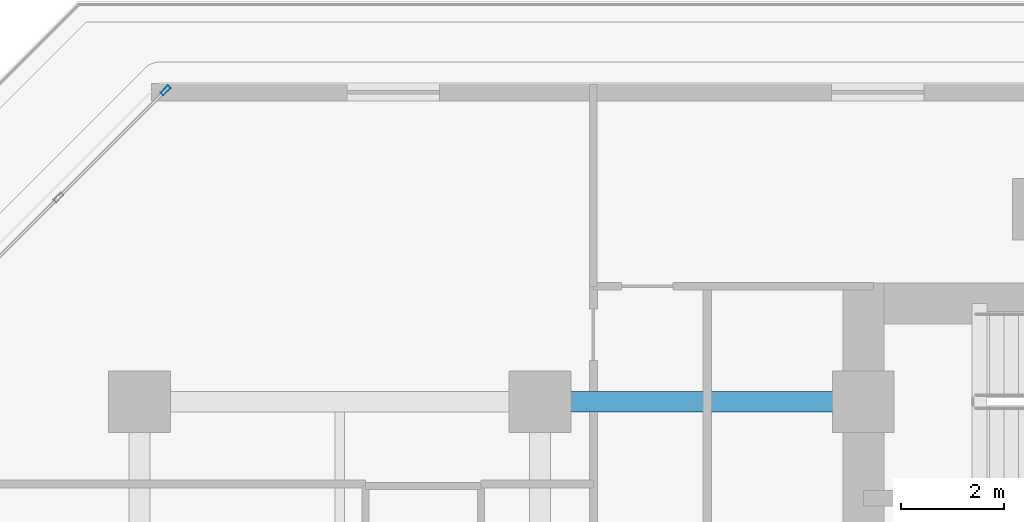
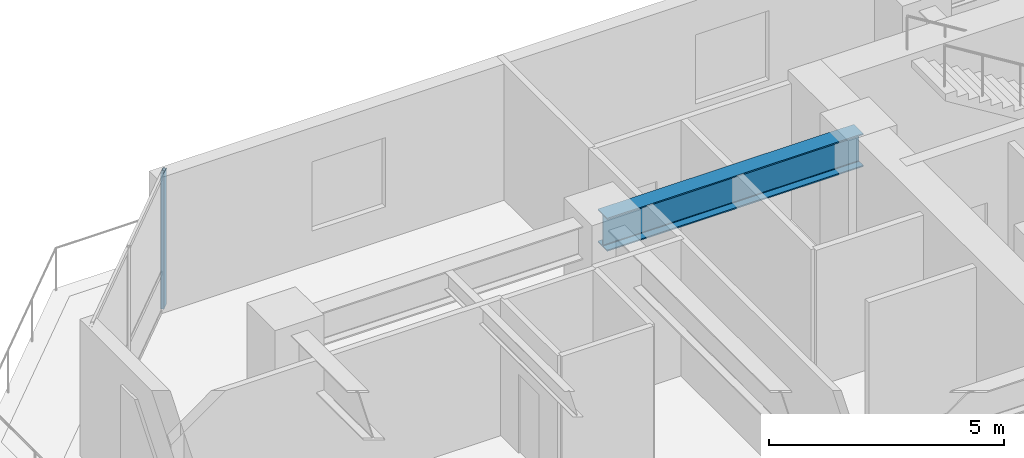
# One storey, part 4 of 12: 1 beam, 1 member, 1 element without a shape of its own.
"""IFC4 building model written with IfcOpenShell, lengths in metres."""

from ifc_helpers import new_model, si_unit, direction, frame, origin, origin_2d, place, context, subcontext, project, spatial, hollow_rectangle, i_section, extrude, material, layer, layer_set, material_profile, profile_set, type_object, element, aggregate, save


model = new_model("IFC4")

# Units and contexts
model_context = context("Model", 3, precision=1e-05, world=origin(), true_north=direction((0.0, 1.0)))
body_context = subcontext(model_context, "Body", "Model", "MODEL_VIEW")
ifc_project = project(units=[si_unit("LENGTHUNIT", "METRE"), si_unit("AREAUNIT", "SQUARE_METRE"), si_unit("VOLUMEUNIT", "CUBIC_METRE"), si_unit("PLANEANGLEUNIT", "RADIAN"), si_unit("MASSUNIT", "GRAM", prefix="KILO")], contexts=[model_context])

# Site, building, storey
site_placement = place(None, origin())
site = spatial("IfcSite", under=ifc_project, at=site_placement, CompositionType="ELEMENT")
building_placement = place(site_placement, origin())
building = spatial("IfcBuilding", under=site, at=building_placement, Name="Kestravale Grand Hotel", CompositionType="ELEMENT")
storey_placement = place(building_placement, frame((0.0, 0.0, 80.39990234375)))
storey = spatial("IfcBuildingStorey", under=building, at=storey_placement, Name="L19", CompositionType="ELEMENT", Elevation=80.39990234375)

# Beam
ifc_material_1 = material(Name="Steel ASTM A992 Grade 50", Category="steel")
ifc_material_profile_1 = material_profile(ifc_material_1, i_section(OverallWidth=0.40087890625, OverallDepth=0.861083984375, WebThickness=0.019775390625, FlangeThickness=0.032470703125, FilletRadius=0.0234375, at=origin_2d()))
ifc_profile_set_1 = profile_set([ifc_material_profile_1], Name="Steel ASTM A992 Grade 50")
beam_type = type_object("IfcBeamType", Name="B-GRD-W33", PredefinedType="BEAM", material=ifc_profile_set_1)
beam_placement = place(storey_placement, frame((15.60009765625, 38.39990234375, 3.109619140625), z_axis=(1.0, 0.0, 0.0), x_axis=(0.0, 1.0, 0.0)))
element("IfcBeam", 1, at=beam_placement, inside=storey, type_object=beam_type, Name="L19 girder F:3-CW", PredefinedType="BEAM", context=body_context, shape_type="SweptSolid", body=[
    extrude(i_section(OverallWidth=0.40087890625, OverallDepth=0.861083984375, WebThickness=0.019775390625, FlangeThickness=0.032470703125, FilletRadius=0.0234375, at=origin_2d()), origin(), (0.0, 0.0, 1.0), 6.2998046875),
])

# Curtain wall, member
ifc_material_2 = material(Name="Thermally broken champagne-bronze aluminium and low-E glazing", Category="aluminium")
ifc_layer = layer(ifc_material_2, 0.199951171875)
ifc_layer_set = layer_set([ifc_layer], Name="CW-Z2")
curtain_wall_type = type_object("IfcCurtainWallType", Name="CW-Z2", PredefinedType="NOTDEFINED", material=ifc_layer_set)
curtain_wall_placement = place(storey_placement, origin())
curtain_wall = element("IfcCurtainWall", 2, at=curtain_wall_placement, inside=storey, type_object=curtain_wall_type, Name="L19 unitised curtain wall 18", PredefinedType="NOTDEFINED")
ifc_material_3 = material(Name="Aluminium 6063-T6 anodised", Category="aluminium")
ifc_material_profile_2 = material_profile(ifc_material_3, hollow_rectangle(XDim=0.074951171875, YDim=0.199951171875, WallThickness=0.00390625, at=origin_2d()))
ifc_profile_set_2 = profile_set([ifc_material_profile_2], Name="Aluminium 6063-T6 anodised")
member_type = type_object("IfcMemberType", Name="CW-MUL-200", PredefinedType="MULLION", material=ifc_profile_set_2)
member_placement = place(storey_placement, frame((8.307861328125, 44.467529296875, 0.0), z_axis=(0.0, 0.0, 1.0), x_axis=(0.707106781187, -0.707106781187, 0.0)))
member = element("IfcMember", 3, at=member_placement, type_object=member_type, Name="CW-Z2 mullion 1", PredefinedType="MULLION", context=body_context, shape_type="SweptSolid", body=[
    extrude(hollow_rectangle(XDim=0.074951171875, YDim=0.199951171875, WallThickness=0.00390625, at=origin_2d()), origin(), (0.0, 0.0, 1.0), 3.5400390625),
])
aggregate(curtain_wall, [member])

save(model, "model.ifc")
